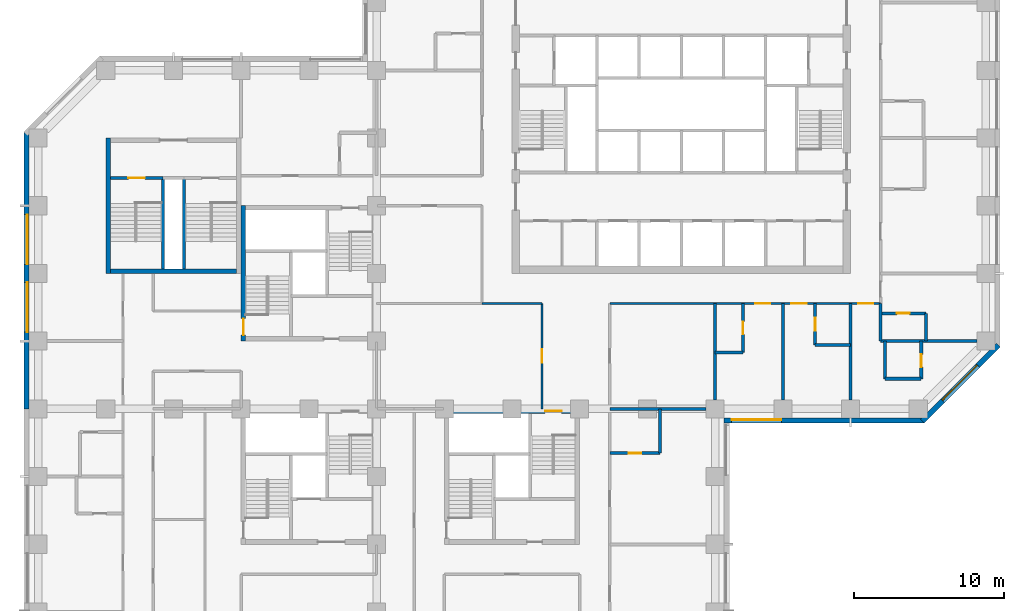
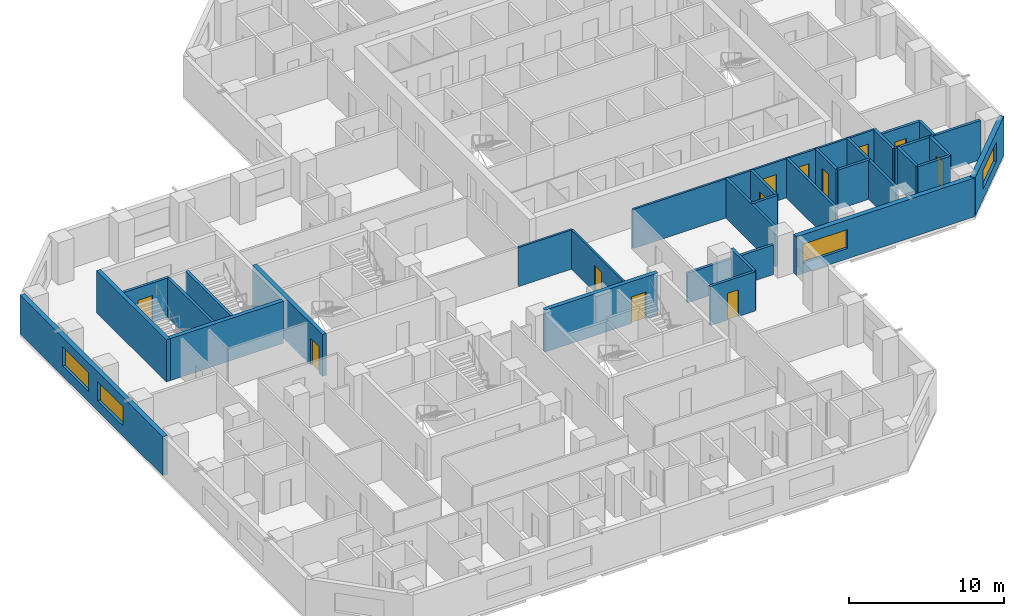
# One storey, part 6 of 13: 30 walls, 12 doors, 4 windows, 16 openings.
"""IFC4 building model written with IfcOpenShell, lengths in metres."""

from ifc_helpers import new_model, si_unit, direction, frame, frame_2d, origin, place, context, subcontext, project, spatial, rectangle, extrude, material, layer, layer_set, constituent, constituent_set, type_object, element, fill, save


model = new_model("IFC4")

# Units and contexts
model_context = context("Model", 3, precision=1e-05, world=origin(), true_north=direction((0.0, 1.0)))
body_context = subcontext(model_context, "Body", "Model", "MODEL_VIEW")
ifc_project = project(units=[si_unit("LENGTHUNIT", "METRE"), si_unit("AREAUNIT", "SQUARE_METRE"), si_unit("VOLUMEUNIT", "CUBIC_METRE"), si_unit("PLANEANGLEUNIT", "RADIAN"), si_unit("MASSUNIT", "GRAM", prefix="KILO")], contexts=[model_context])

# Site, building, storey
site_placement = place(None, origin())
site = spatial("IfcSite", under=ifc_project, at=site_placement, CompositionType="ELEMENT")
building_placement = place(site_placement, origin())
building = spatial("IfcBuilding", under=site, at=building_placement, Name="Quoin Convention Tower", CompositionType="ELEMENT")
storey_placement = place(building_placement, frame((0.0, 0.0, 49.5)))
storey = spatial("IfcBuildingStorey", under=building, at=storey_placement, Name="L12", CompositionType="ELEMENT", Elevation=49.5)

# Wall, opening, window
ifc_material_1 = material(Name="Brick masonry", Category="masonry")
ifc_layer_1 = layer(ifc_material_1, 0.35009765625)
ifc_layer_set_1 = layer_set([ifc_layer_1], Name="Brick masonry")
wall_type_1 = type_object("IfcWallType", Name="Brick facade wall", PredefinedType="STANDARD", material=ifc_layer_set_1)
wall_1_placement = place(storey_placement, frame((59.10009765625, 39.72509765625, 0.0), z_axis=(0.0, 0.0, 1.0), x_axis=(1.0, 0.0, 0.0)))
wall_1 = element("IfcWall", 1, at=wall_1_placement, inside=storey, type_object=wall_type_1, Name="fw-L12-58500_40500", PredefinedType="STANDARD", context=body_context, shape_type="SweptSolid", body=[
    extrude(rectangle(XDim=13.29345703125, YDim=0.35009765625, at=frame_2d((6.646728515625, 0.0))), origin(), (0.0, 0.0, 1.0), 3.054931640625),
])
opening_1_placement = place(wall_1_placement, frame((0.5, 0.0, 0.800048828125)))
opening_1 = element("IfcOpeningElement", 2, at=opening_1_placement, cuts=wall_1, Name="Opening W-01", PredefinedType="OPENING", context=body_context, shape_type="SweptSolid", body=[
    extrude(rectangle(XDim=3.300048828125, YDim=1.5, at=frame_2d((1.64990234375, 0.75))), frame((0.0, 0.18505859375, 0.0), z_axis=(0.0, -1.0, 0.0), x_axis=(1.0, 0.0, 0.0)), (0.0, 0.0, 1.0), 0.3701171875),
])
ifc_material_2 = material(Name="Aluminium", Category="aluminium")
ifc_constituent_1 = constituent(ifc_material_2, Name="Frame")
ifc_material_3 = material(Name="Insulated glass", Category="glass")
ifc_constituent_2 = constituent(ifc_material_3, Name="Glazing")
ifc_constituent_set = constituent_set(constituents=[ifc_constituent_1, ifc_constituent_2], Name="Aluminium")
window_type = type_object("IfcWindowType", Name="Hotel strip window", PartitioningType="DOUBLE_PANEL_VERTICAL", PredefinedType="WINDOW", material=ifc_constituent_set)
window_1_placement = place(opening_1_placement, origin())
window_1 = element("IfcWindow", 3, at=window_1_placement, inside=storey, type_object=window_type, Name="win-L12-60750_39725", OverallHeight=1.5, OverallWidth=3.300048828125, PartitioningType="SINGLE_PANEL", PredefinedType="WINDOW", context=body_context, shape_type="SweptSolid", body=[
    extrude(rectangle(XDim=3.300048828125, YDim=1.5, at=frame_2d((1.64990234375, 0.75))), frame((0.0, 0.0849609375, 0.0), z_axis=(0.0, -1.0, 0.0), x_axis=(1.0, 0.0, 0.0)), (0.0, 0.0, 1.0), 0.06005859375),
])
fill(opening_1, window_1)

wall_2_placement = place(storey_placement, frame((72.269775390625, 39.673583984375, 0.0), z_axis=(0.0, 0.0, 1.0), x_axis=(0.707106781187, 0.707106781187, 0.0)))
wall_2 = element("IfcWall", 4, at=wall_2_placement, inside=storey, type_object=wall_type_1, Name="fw-L12-72000_40500", PredefinedType="STANDARD", context=body_context, shape_type="SweptSolid", body=[
    extrude(rectangle(XDim=7.151123046875, YDim=0.35009765625, at=frame_2d((3.57568359375, 0.0))), origin(), (0.0, 0.0, 1.0), 3.054931640625),
])
opening_2_placement = place(wall_2_placement, frame((1.925537109375, 0.0, 0.800048828125)))
opening_2 = element("IfcOpeningElement", 5, at=opening_2_placement, cuts=wall_2, Name="Opening W-01", PredefinedType="OPENING", context=body_context, shape_type="SweptSolid", body=[
    extrude(rectangle(XDim=3.300048828125, YDim=1.5, at=frame_2d((1.64990234375, 0.75))), frame((0.0, 0.18505859375, 0.0), z_axis=(0.0, -1.0, 0.0), x_axis=(1.0, 0.0, 0.0)), (0.0, 0.0, 1.0), 0.3701171875),
])
window_2_placement = place(opening_2_placement, origin())
window_2 = element("IfcWindow", 6, at=window_2_placement, inside=storey, type_object=window_type, Name="win-L12-74798_42202", OverallHeight=1.5, OverallWidth=3.300048828125, PartitioningType="SINGLE_PANEL", PredefinedType="WINDOW", context=body_context, shape_type="SweptSolid", body=[
    extrude(rectangle(XDim=3.300048828125, YDim=1.5, at=frame_2d((1.64990234375, 0.75))), frame((0.0, 0.0849609375, 0.0), z_axis=(0.0, -1.0, 0.0), x_axis=(1.0, 0.0, 0.0)), (0.0, 0.0, 1.0), 0.06005859375),
])
fill(opening_2, window_2)

# Wall, openings, windows
wall_3_placement = place(storey_placement, frame((12.72509765625, 58.8935546875, 0.0), z_axis=(0.0, 0.0, 1.0), x_axis=(0.0, -1.0, 0.0)))
wall_3 = element("IfcWall", 7, at=wall_3_placement, inside=storey, type_object=wall_type_1, Name="fw-L12-13500_58500", PredefinedType="STANDARD", context=body_context, shape_type="SweptSolid", body=[
    extrude(rectangle(XDim=18.3935546875, YDim=0.35009765625, at=frame_2d((9.19677734375, 0.0))), origin(), (0.0, 0.0, 1.0), 3.054931640625),
])
opening_3_placement = place(wall_3_placement, frame((5.493408203125, 0.0, 0.800048828125)))
opening_3 = element("IfcOpeningElement", 8, at=opening_3_placement, cuts=wall_3, Name="Opening W-01", PredefinedType="OPENING", context=body_context, shape_type="SweptSolid", body=[
    extrude(rectangle(XDim=3.300048828125, YDim=1.5, at=frame_2d((1.64990234375, 0.75))), frame((0.0, 0.18505859375, 0.0), z_axis=(0.0, -1.0, 0.0), x_axis=(1.0, 0.0, 0.0)), (0.0, 0.0, 1.0), 0.3701171875),
])
opening_4_placement = place(wall_3_placement, frame((9.993408203125, 0.0, 0.800048828125)))
opening_4 = element("IfcOpeningElement", 9, at=opening_4_placement, cuts=wall_3, Name="Opening W-01", PredefinedType="OPENING", context=body_context, shape_type="SweptSolid", body=[
    extrude(rectangle(XDim=3.300048828125, YDim=1.5, at=frame_2d((1.64990234375, 0.75))), frame((0.0, 0.18505859375, 0.0), z_axis=(0.0, -1.0, 0.0), x_axis=(1.0, 0.0, 0.0)), (0.0, 0.0, 1.0), 0.3701171875),
])
window_3_placement = place(opening_3_placement, origin())
window_3 = element("IfcWindow", 10, at=window_3_placement, inside=storey, type_object=window_type, Name="win-L12-12725_51750", OverallHeight=1.5, OverallWidth=3.300048828125, PartitioningType="SINGLE_PANEL", PredefinedType="WINDOW", context=body_context, shape_type="SweptSolid", body=[
    extrude(rectangle(XDim=3.300048828125, YDim=1.5, at=frame_2d((1.64990234375, 0.75))), frame((0.0, 0.0849609375, 0.0), z_axis=(0.0, -1.0, 0.0), x_axis=(1.0, 0.0, 0.0)), (0.0, 0.0, 1.0), 0.06005859375),
])
fill(opening_3, window_3)
window_4_placement = place(opening_4_placement, origin())
window_4 = element("IfcWindow", 11, at=window_4_placement, inside=storey, type_object=window_type, Name="win-L12-12725_47250", OverallHeight=1.5, OverallWidth=3.300048828125, PartitioningType="SINGLE_PANEL", PredefinedType="WINDOW", context=body_context, shape_type="SweptSolid", body=[
    extrude(rectangle(XDim=3.300048828125, YDim=1.5, at=frame_2d((1.64990234375, 0.75))), frame((0.0, 0.0849609375, 0.0), z_axis=(0.0, -1.0, 0.0), x_axis=(1.0, 0.0, 0.0)), (0.0, 0.0, 1.0), 0.06005859375),
])
fill(opening_4, window_4)

# Wall, opening, door
ifc_material_4 = material(Name="Concrete C50", Category="concrete")
ifc_layer_2 = layer(ifc_material_4, 0.199951171875)
ifc_layer_set_2 = layer_set([ifc_layer_2], Name="Concrete C50")
wall_type_2 = type_object("IfcWallType", Name="Core shaft wall", PredefinedType="SOLIDWALL", material=ifc_layer_set_2)
wall_4_placement = place(storey_placement, frame((18.300048828125, 55.85009765625, 0.0), z_axis=(0.0, 0.0, 1.0), x_axis=(1.0, 0.0, 0.0)))
wall_4 = element("IfcWall", 12, at=wall_4_placement, inside=storey, type_object=wall_type_2, Name="cr-P6-L12-h6350_300", PredefinedType="SOLIDWALL", context=body_context, shape_type="SweptSolid", body=[
    extrude(rectangle(XDim=3.5, YDim=0.199951171875, at=frame_2d((1.75, 0.0))), origin(), (0.0, 0.0, 1.0), 3.080078125),
])
opening_5_placement = place(wall_4_placement, frame((1.199951171875, 0.0, 0.0)))
opening_5 = element("IfcOpeningElement", 13, at=opening_5_placement, cuts=wall_4, Name="Opening SD11", PredefinedType="OPENING", context=body_context, shape_type="SweptSolid", body=[
    extrude(rectangle(XDim=1.10009765625, YDim=2.10009765625, at=frame_2d((0.550048828125, 1.050048828125))), frame((0.0, 0.10986328125, 0.0), z_axis=(0.0, -1.0, 0.0), x_axis=(1.0, 0.0, 0.0)), (0.0, 0.0, 1.0), 0.219970703125),
])
ifc_material_5 = material(Name="Steel door leaf", Category="steel")
door_type_1 = type_object("IfcDoorType", Name="Stair door 1100 x 2100", OperationType="SINGLE_SWING_RIGHT", PredefinedType="DOOR", material=ifc_material_5)
door_1_placement = place(opening_5_placement, origin())
door_1 = element("IfcDoor", 14, at=door_1_placement, inside=storey, type_object=door_type_1, Name="cd-P6-L12-SA-R2-SD11", OperationType="SINGLE_SWING_RIGHT", OverallHeight=2.10009765625, OverallWidth=1.10009765625, PredefinedType="DOOR", context=body_context, shape_type="SweptSolid", body=[
    extrude(rectangle(XDim=1.10009765625, YDim=2.10009765625, at=frame_2d((0.550048828125, 1.050048828125))), frame((0.0, 0.02490234375, 0.0), z_axis=(0.0, -1.0, 0.0), x_axis=(1.0, 0.0, 0.0)), (0.0, 0.0, 1.0), 0.050048828125),
])
fill(opening_5, door_1)

# Walls
for number, where, z_axis, x_axis, name in (
    (15, (21.800048828125, 49.800048828125, 0.0), (0.0, 0.0, 1.0), (0.0, 1.0, 0.0), "cr-P6-L12-v3800_300"),
    (16, (23.199951171875, 49.800048828125, 0.0), (0.0, 0.0, 1.0), (0.0, 1.0, 0.0), "cr-P6-L12-v5200_300"),
):
    element("IfcWall", number, at=place(storey_placement, frame(where, z_axis=z_axis, x_axis=x_axis)), inside=storey, type_object=wall_type_2, Name=name, PredefinedType="SOLIDWALL", context=body_context, shape_type="SweptSolid", body=[
        extrude(rectangle(XDim=6.050048828125, YDim=0.199951171875, at=frame_2d((3.02490234375, 0.0))), origin(), (0.0, 0.0, 1.0), 3.080078125),
    ])

# Wall, opening, door
ifc_material_6 = material(Name="Concrete C80", Category="concrete")
ifc_layer_3 = layer(ifc_material_6, 0.300048828125)
ifc_layer_set_3 = layer_set([ifc_layer_3], Name="Concrete C80")
wall_type_3 = type_object("IfcWallType", Name="RC CORE WALL 300 C80", PredefinedType="SHEAR", material=ifc_layer_set_3)
wall_5_placement = place(storey_placement, frame((27.14990234375, 45.0, 0.0), z_axis=(0.0, 0.0, 1.0), x_axis=(0.0, 1.0, 0.0)))
wall_5 = element("IfcWall", 17, at=wall_5_placement, inside=storey, type_object=wall_type_3, Name="cwl-P2-L12-W", PredefinedType="SHEAR", context=body_context, shape_type="SweptSolid", body=[
    extrude(rectangle(XDim=9.0, YDim=0.300048828125, at=frame_2d((4.5, 0.0))), origin(), (0.0, 0.0, 1.0), 3.300048828125),
])
opening_6_placement = place(wall_5_placement, frame((0.39990234375, 0.0, 0.0)))
opening_6 = element("IfcOpeningElement", 18, at=opening_6_placement, cuts=wall_5, Name="Opening SD3", PredefinedType="OPENING", context=body_context, shape_type="SweptSolid", body=[
    extrude(rectangle(XDim=1.10009765625, YDim=2.10009765625, at=frame_2d((0.550048828125, 1.050048828125))), frame((0.0, 0.159912109375, 0.0), z_axis=(0.0, -1.0, 0.0), x_axis=(1.0, 0.0, 0.0)), (0.0, 0.0, 1.0), 0.320068359375),
])
door_2_placement = place(opening_6_placement, frame((1.10009765625, 0.0, 0.0), z_axis=(0.0, 0.0, 1.0), x_axis=(-1.0, 0.0, 0.0)))
door_2 = element("IfcDoor", 19, at=door_2_placement, inside=storey, type_object=door_type_1, Name="cd-P2-L12-SA-W", OperationType="SINGLE_SWING_RIGHT", OverallHeight=2.10009765625, OverallWidth=1.10009765625, PredefinedType="DOOR", context=body_context, shape_type="SweptSolid", body=[
    extrude(rectangle(XDim=1.10009765625, YDim=2.10009765625, at=frame_2d((0.550048828125, 1.050048828125))), frame((0.0, 0.02490234375, 0.0), z_axis=(0.0, -1.0, 0.0), x_axis=(1.0, 0.0, 0.0)), (0.0, 0.0, 1.0), 0.050048828125),
])
fill(opening_6, door_2)

wall_6_placement = place(storey_placement, frame((40.800048828125, 40.35009765625, 0.0), z_axis=(0.0, 0.0, 1.0), x_axis=(1.0, 0.0, 0.0)))
wall_6 = element("IfcWall", 20, at=wall_6_placement, inside=storey, type_object=wall_type_3, Name="cwl-P3-L12-N", PredefinedType="SHEAR", context=body_context, shape_type="SweptSolid", body=[
    extrude(rectangle(XDim=8.39990234375, YDim=0.300048828125, at=frame_2d((4.199951171875, 0.0))), origin(), (0.0, 0.0, 1.0), 3.300048828125),
])
opening_7_placement = place(wall_6_placement, frame((6.39990234375, 0.0, 0.0)))
opening_7 = element("IfcOpeningElement", 21, at=opening_7_placement, cuts=wall_6, Name="Opening SD6", PredefinedType="OPENING", context=body_context, shape_type="SweptSolid", body=[
    extrude(rectangle(XDim=1.10009765625, YDim=2.10009765625, at=frame_2d((0.550048828125, 1.050048828125))), frame((0.0, 0.159912109375, 0.0), z_axis=(0.0, -1.0, 0.0), x_axis=(1.0, 0.0, 0.0)), (0.0, 0.0, 1.0), 0.320068359375),
])
door_3_placement = place(opening_7_placement, frame((1.10009765625, 0.0, 0.0), z_axis=(0.0, 0.0, 1.0), x_axis=(-1.0, 0.0, 0.0)))
door_3 = element("IfcDoor", 22, at=door_3_placement, inside=storey, type_object=door_type_1, Name="cd-P3-L12-SB-N", OperationType="SINGLE_SWING_LEFT", OverallHeight=2.10009765625, OverallWidth=1.10009765625, PredefinedType="DOOR", context=body_context, shape_type="SweptSolid", body=[
    extrude(rectangle(XDim=1.10009765625, YDim=2.10009765625, at=frame_2d((0.550048828125, 1.050048828125))), frame((0.0, 0.02490234375, 0.0), z_axis=(0.0, -1.0, 0.0), x_axis=(1.0, 0.0, 0.0)), (0.0, 0.0, 1.0), 0.050048828125),
])
fill(opening_7, door_3)

# Walls
wall_7_placement = place(storey_placement, frame((18.300048828125, 49.64990234375, 0.0), z_axis=(0.0, 0.0, 1.0), x_axis=(1.0, 0.0, 0.0)))
element("IfcWall", 23, at=wall_7_placement, inside=storey, type_object=wall_type_3, Name="cwl-P6-L12-S", PredefinedType="SHEAR", context=body_context, shape_type="SweptSolid", body=[
    extrude(rectangle(XDim=8.39990234375, YDim=0.300048828125, at=frame_2d((4.199951171875, 0.0))), origin(), (0.0, 0.0, 1.0), 3.300048828125),
])
wall_8_placement = place(storey_placement, frame((18.14990234375, 49.5, 0.0), z_axis=(0.0, 0.0, 1.0), x_axis=(0.0, 1.0, 0.0)))
element("IfcWall", 24, at=wall_8_placement, inside=storey, type_object=wall_type_3, Name="cwl-P6-L12-W", PredefinedType="SHEAR", context=body_context, shape_type="SweptSolid", body=[
    extrude(rectangle(XDim=9.0, YDim=0.300048828125, at=frame_2d((4.5, 0.0))), origin(), (0.0, 0.0, 1.0), 3.300048828125),
])

# Wall, opening, door
ifc_layer_4 = layer(ifc_material_4, 0.199951171875)
ifc_layer_set_4 = layer_set([ifc_layer_4], Name="Concrete C50")
wall_type_4 = type_object("IfcWallType", Name="RC party wall", PredefinedType="SOLIDWALL", material=ifc_layer_set_4)
wall_9_placement = place(storey_placement, frame((51.5, 37.550048828125, 0.0), z_axis=(0.0, 0.0, 1.0), x_axis=(1.0, 0.0, 0.0)))
wall_9 = element("IfcWall", 25, at=wall_9_placement, inside=storey, type_object=wall_type_4, Name="pw-L12-076", PredefinedType="SOLIDWALL", context=body_context, shape_type="SweptSolid", body=[
    extrude(rectangle(XDim=3.35009765625, YDim=0.199951171875, at=frame_2d((1.675048828125, 0.0))), origin(), (0.0, 0.0, 1.0), 3.080078125),
])
opening_8_placement = place(wall_9_placement, frame((1.25, 0.0, 0.0)))
opening_8 = element("IfcOpeningElement", 26, at=opening_8_placement, cuts=wall_9, Name="Opening DHOTEL-A-50", PredefinedType="OPENING", context=body_context, shape_type="SweptSolid", body=[
    extrude(rectangle(XDim=0.85009765625, YDim=2.10009765625, at=frame_2d((0.425048828125, 1.050048828125))), frame((0.0, 0.10986328125, 0.0), z_axis=(0.0, -1.0, 0.0), x_axis=(1.0, 0.0, 0.0)), (0.0, 0.0, 1.0), 0.219970703125),
])
door_type_2 = type_object("IfcDoorType", Name="Bathroom door", OperationType="SINGLE_SWING_LEFT", PredefinedType="DOOR", material=ifc_material_5)
door_4_placement = place(opening_8_placement, frame((0.85009765625, 0.0, 0.0), z_axis=(0.0, 0.0, 1.0), x_axis=(-1.0, 0.0, 0.0)))
door_4 = element("IfcDoor", 27, at=door_4_placement, inside=storey, type_object=door_type_2, Name="dr-L12-026", OperationType="SINGLE_SWING_RIGHT", OverallHeight=2.10009765625, OverallWidth=0.85009765625, PredefinedType="DOOR", context=body_context, shape_type="SweptSolid", body=[
    extrude(rectangle(XDim=0.85009765625, YDim=2.10009765625, at=frame_2d((0.425048828125, 1.050048828125))), frame((0.0, 0.02490234375, 0.0), z_axis=(0.0, -1.0, 0.0), x_axis=(1.0, 0.0, 0.0)), (0.0, 0.0, 1.0), 0.050048828125),
])
fill(opening_8, door_4)

# Walls
wall_10_placement = place(storey_placement, frame((54.85009765625, 37.550048828125, 0.0), z_axis=(0.0, 0.0, 1.0), x_axis=(0.0, 1.0, 0.0)))
element("IfcWall", 28, at=wall_10_placement, inside=storey, type_object=wall_type_4, Name="pw-L12-077", PredefinedType="SOLIDWALL", context=body_context, shape_type="SweptSolid", body=[
    extrude(rectangle(XDim=2.949951171875, YDim=0.199951171875, at=frame_2d((1.47509765625, 0.0))), origin(), (0.0, 0.0, 1.0), 3.080078125),
])
for number, where, z_axis, x_axis, name in (
    (29, (63.0, 41.10009765625, 0.0), (0.0, 0.0, 1.0), (0.0, 1.0, 0.0), "pw-L12-079"),
    (30, (67.5, 41.10009765625, 0.0), (0.0, 0.0, 1.0), (0.0, 1.0, 0.0), "pw-L12-080"),
):
    element("IfcWall", number, at=place(storey_placement, frame(where, z_axis=z_axis, x_axis=x_axis)), inside=storey, type_object=wall_type_4, Name=name, PredefinedType="SOLIDWALL", context=body_context, shape_type="SweptSolid", body=[
        extrude(rectangle(XDim=6.39990234375, YDim=0.199951171875, at=frame_2d((3.199951171875, 0.0))), origin(), (0.0, 0.0, 1.0), 3.080078125),
    ])
wall_11_placement = place(storey_placement, frame((69.800048828125, 42.5, 0.0), z_axis=(0.0, 0.0, 1.0), x_axis=(1.0, 0.0, 0.0)))
element("IfcWall", 31, at=wall_11_placement, inside=storey, type_object=wall_type_4, Name="pw-L12-081", PredefinedType="SOLIDWALL", context=body_context, shape_type="SweptSolid", body=[
    extrude(rectangle(XDim=2.39990234375, YDim=0.199951171875, at=frame_2d((1.199951171875, 0.0))), origin(), (0.0, 0.0, 1.0), 3.080078125),
])
wall_12_placement = place(storey_placement, frame((69.800048828125, 42.5, 0.0), z_axis=(0.0, 0.0, 1.0), x_axis=(0.0, 1.0, 0.0)))
element("IfcWall", 32, at=wall_12_placement, inside=storey, type_object=wall_type_4, Name="pw-L12-082", PredefinedType="SOLIDWALL", context=body_context, shape_type="SweptSolid", body=[
    extrude(rectangle(XDim=2.5, YDim=0.199951171875, at=frame_2d((1.25, 0.0))), origin(), (0.0, 0.0, 1.0), 3.080078125),
])

# Wall, opening, door
wall_13_placement = place(storey_placement, frame((72.199951171875, 42.5, 0.0), z_axis=(0.0, 0.0, 1.0), x_axis=(0.0, 1.0, 0.0)))
wall_13 = element("IfcWall", 33, at=wall_13_placement, inside=storey, type_object=wall_type_4, Name="pw-L12-083", PredefinedType="SOLIDWALL", context=body_context, shape_type="SweptSolid", body=[
    extrude(rectangle(XDim=2.5, YDim=0.199951171875, at=frame_2d((1.25, 0.0))), origin(), (0.0, 0.0, 1.0), 3.080078125),
])
opening_9_placement = place(wall_13_placement, frame((0.77490234375, 0.0, 0.0)))
opening_9 = element("IfcOpeningElement", 34, at=opening_9_placement, cuts=wall_13, Name="Opening DHOTEL-A-52", PredefinedType="OPENING", context=body_context, shape_type="SweptSolid", body=[
    extrude(rectangle(XDim=0.85009765625, YDim=2.10009765625, at=frame_2d((0.425048828125, 1.050048828125))), frame((0.0, 0.10986328125, 0.0), z_axis=(0.0, -1.0, 0.0), x_axis=(1.0, 0.0, 0.0)), (0.0, 0.0, 1.0), 0.219970703125),
])
door_5_placement = place(opening_9_placement, frame((0.85009765625, 0.0, 0.0), z_axis=(0.0, 0.0, 1.0), x_axis=(-1.0, 0.0, 0.0)))
door_5 = element("IfcDoor", 35, at=door_5_placement, inside=storey, type_object=door_type_2, Name="dr-L12-064", OperationType="SINGLE_SWING_LEFT", OverallHeight=2.10009765625, OverallWidth=0.85009765625, PredefinedType="DOOR", context=body_context, shape_type="SweptSolid", body=[
    extrude(rectangle(XDim=0.85009765625, YDim=2.10009765625, at=frame_2d((0.425048828125, 1.050048828125))), frame((0.0, 0.02490234375, 0.0), z_axis=(0.0, -1.0, 0.0), x_axis=(1.0, 0.0, 0.0)), (0.0, 0.0, 1.0), 0.050048828125),
])
fill(opening_9, door_5)

# Wall
wall_14_placement = place(storey_placement, frame((58.5, 44.25, 0.0), z_axis=(0.0, 0.0, 1.0), x_axis=(1.0, 0.0, 0.0)))
element("IfcWall", 36, at=wall_14_placement, inside=storey, type_object=wall_type_4, Name="pw-L12-084", PredefinedType="SOLIDWALL", context=body_context, shape_type="SweptSolid", body=[
    extrude(rectangle(XDim=1.85009765625, YDim=0.199951171875, at=frame_2d((0.925048828125, 0.0))), origin(), (0.0, 0.0, 1.0), 3.080078125),
])

# Wall, opening, door
wall_15_placement = place(storey_placement, frame((60.35009765625, 44.25, 0.0), z_axis=(0.0, 0.0, 1.0), x_axis=(0.0, 1.0, 0.0)))
wall_15 = element("IfcWall", 37, at=wall_15_placement, inside=storey, type_object=wall_type_4, Name="pw-L12-085", PredefinedType="SOLIDWALL", context=body_context, shape_type="SweptSolid", body=[
    extrude(rectangle(XDim=3.25, YDim=0.199951171875, at=frame_2d((1.625, 0.0))), origin(), (0.0, 0.0, 1.0), 3.080078125),
])
opening_10_placement = place(wall_15_placement, frame((1.199951171875, 0.0, 0.0)))
opening_10 = element("IfcOpeningElement", 38, at=opening_10_placement, cuts=wall_15, Name="Opening DHOTEL-A-53", PredefinedType="OPENING", context=body_context, shape_type="SweptSolid", body=[
    extrude(rectangle(XDim=0.85009765625, YDim=2.10009765625, at=frame_2d((0.425048828125, 1.050048828125))), frame((0.0, 0.10986328125, 0.0), z_axis=(0.0, -1.0, 0.0), x_axis=(1.0, 0.0, 0.0)), (0.0, 0.0, 1.0), 0.219970703125),
])
door_6_placement = place(opening_10_placement, frame((0.85009765625, 0.0, 0.0), z_axis=(0.0, 0.0, 1.0), x_axis=(-1.0, 0.0, 0.0)))
door_6 = element("IfcDoor", 39, at=door_6_placement, inside=storey, type_object=door_type_2, Name="dr-L12-052", OperationType="SINGLE_SWING_LEFT", OverallHeight=2.10009765625, OverallWidth=0.85009765625, PredefinedType="DOOR", context=body_context, shape_type="SweptSolid", body=[
    extrude(rectangle(XDim=0.85009765625, YDim=2.10009765625, at=frame_2d((0.425048828125, 1.050048828125))), frame((0.0, 0.02490234375, 0.0), z_axis=(0.0, -1.0, 0.0), x_axis=(1.0, 0.0, 0.0)), (0.0, 0.0, 1.0), 0.050048828125),
])
fill(opening_10, door_6)

# Wall
wall_16_placement = place(storey_placement, frame((65.14990234375, 44.75, 0.0), z_axis=(0.0, 0.0, 1.0), x_axis=(1.0, 0.0, 0.0)))
element("IfcWall", 40, at=wall_16_placement, inside=storey, type_object=wall_type_4, Name="pw-L12-086", PredefinedType="SOLIDWALL", context=body_context, shape_type="SweptSolid", body=[
    extrude(rectangle(XDim=2.35009765625, YDim=0.199951171875, at=frame_2d((1.175048828125, 0.0))), origin(), (0.0, 0.0, 1.0), 3.080078125),
])

# Wall, opening, door
wall_17_placement = place(storey_placement, frame((65.14990234375, 44.75, 0.0), z_axis=(0.0, 0.0, 1.0), x_axis=(0.0, 1.0, 0.0)))
wall_17 = element("IfcWall", 41, at=wall_17_placement, inside=storey, type_object=wall_type_4, Name="pw-L12-087", PredefinedType="SOLIDWALL", context=body_context, shape_type="SweptSolid", body=[
    extrude(rectangle(XDim=2.75, YDim=0.199951171875, at=frame_2d((1.375, 0.0))), origin(), (0.0, 0.0, 1.0), 3.080078125),
])
opening_11_placement = place(wall_17_placement, frame((0.949951171875, 0.0, 0.0)))
opening_11 = element("IfcOpeningElement", 42, at=opening_11_placement, cuts=wall_17, Name="Opening DHOTEL-A-54", PredefinedType="OPENING", context=body_context, shape_type="SweptSolid", body=[
    extrude(rectangle(XDim=0.85009765625, YDim=2.10009765625, at=frame_2d((0.425048828125, 1.050048828125))), frame((0.0, 0.10986328125, 0.0), z_axis=(0.0, -1.0, 0.0), x_axis=(1.0, 0.0, 0.0)), (0.0, 0.0, 1.0), 0.219970703125),
])
door_7_placement = place(opening_11_placement, origin())
door_7 = element("IfcDoor", 43, at=door_7_placement, inside=storey, type_object=door_type_2, Name="dr-L12-050", OperationType="SINGLE_SWING_RIGHT", OverallHeight=2.10009765625, OverallWidth=0.85009765625, PredefinedType="DOOR", context=body_context, shape_type="SweptSolid", body=[
    extrude(rectangle(XDim=0.85009765625, YDim=2.10009765625, at=frame_2d((0.425048828125, 1.050048828125))), frame((0.0, 0.02490234375, 0.0), z_axis=(0.0, -1.0, 0.0), x_axis=(1.0, 0.0, 0.0)), (0.0, 0.0, 1.0), 0.050048828125),
])
fill(opening_11, door_7)

# Walls
wall_18_placement = place(storey_placement, frame((69.5, 45.0, 0.0), z_axis=(0.0, 0.0, 1.0), x_axis=(1.0, 0.0, 0.0)))
element("IfcWall", 44, at=wall_18_placement, inside=storey, type_object=wall_type_4, Name="pw-L12-089", PredefinedType="SOLIDWALL", context=body_context, shape_type="SweptSolid", body=[
    extrude(rectangle(XDim=6.39990234375, YDim=0.199951171875, at=frame_2d((3.199951171875, 0.0))), origin(), (0.0, 0.0, 1.0), 3.080078125),
])
wall_19_placement = place(storey_placement, frame((69.5, 45.0, 0.0), z_axis=(0.0, 0.0, 1.0), x_axis=(0.0, 1.0, 0.0)))
element("IfcWall", 45, at=wall_19_placement, inside=storey, type_object=wall_type_4, Name="pw-L12-090", PredefinedType="SOLIDWALL", context=body_context, shape_type="SweptSolid", body=[
    extrude(rectangle(XDim=2.5, YDim=0.199951171875, at=frame_2d((1.25, 0.0))), origin(), (0.0, 0.0, 1.0), 3.080078125),
])
wall_20_placement = place(storey_placement, frame((72.5, 45.0, 0.0), z_axis=(0.0, 0.0, 1.0), x_axis=(0.0, 1.0, 0.0)))
element("IfcWall", 46, at=wall_20_placement, inside=storey, type_object=wall_type_4, Name="pw-L12-091", PredefinedType="SOLIDWALL", context=body_context, shape_type="SweptSolid", body=[
    extrude(rectangle(XDim=1.85009765625, YDim=0.199951171875, at=frame_2d((0.925048828125, 0.0))), origin(), (0.0, 0.0, 1.0), 3.080078125),
])

# Wall, opening, door
wall_21_placement = place(storey_placement, frame((69.5, 46.85009765625, 0.0), z_axis=(0.0, 0.0, 1.0), x_axis=(1.0, 0.0, 0.0)))
wall_21 = element("IfcWall", 47, at=wall_21_placement, inside=storey, type_object=wall_type_4, Name="pw-L12-092", PredefinedType="SOLIDWALL", context=body_context, shape_type="SweptSolid", body=[
    extrude(rectangle(XDim=3.0, YDim=0.199951171875, at=frame_2d((1.5, 0.0))), origin(), (0.0, 0.0, 1.0), 3.080078125),
])
opening_12_placement = place(wall_21_placement, frame((1.074951171875, 0.0, 0.0)))
opening_12 = element("IfcOpeningElement", 48, at=opening_12_placement, cuts=wall_21, Name="Opening DHOTEL-A-55", PredefinedType="OPENING", context=body_context, shape_type="SweptSolid", body=[
    extrude(rectangle(XDim=0.85009765625, YDim=2.10009765625, at=frame_2d((0.425048828125, 1.050048828125))), frame((0.0, 0.10986328125, 0.0), z_axis=(0.0, -1.0, 0.0), x_axis=(1.0, 0.0, 0.0)), (0.0, 0.0, 1.0), 0.219970703125),
])
door_8_placement = place(opening_12_placement, origin())
door_8 = element("IfcDoor", 49, at=door_8_placement, inside=storey, type_object=door_type_2, Name="dr-L12-048", OperationType="SINGLE_SWING_LEFT", OverallHeight=2.10009765625, OverallWidth=0.85009765625, PredefinedType="DOOR", context=body_context, shape_type="SweptSolid", body=[
    extrude(rectangle(XDim=0.85009765625, YDim=2.10009765625, at=frame_2d((0.425048828125, 1.050048828125))), frame((0.0, 0.02490234375, 0.0), z_axis=(0.0, -1.0, 0.0), x_axis=(1.0, 0.0, 0.0)), (0.0, 0.0, 1.0), 0.050048828125),
])
fill(opening_12, door_8)

ifc_material_7 = material(Name="Plasterboard")
ifc_layer_5 = layer(ifc_material_7, 0.012451171875, Name="Finish")
ifc_material_8 = material(Name="Steel stud framing", Category="steel")
ifc_layer_6 = layer(ifc_material_8, 0.125, Name="Structure")
ifc_layer_7 = layer(ifc_material_7, 0.012451171875, Name="Finish")
ifc_layer_set_5 = layer_set([ifc_layer_5, ifc_layer_6, ifc_layer_7], Name="Steel stud framing")
wall_type_5 = type_object("IfcWallType", Name="corridor partition", PredefinedType="PARTITIONING", material=ifc_layer_set_5)
wall_22_placement = place(storey_placement, frame((47.0, 40.5, 0.0), z_axis=(0.0, 0.0, 1.0), x_axis=(0.0, 1.0, 0.0)))
wall_22 = element("IfcWall", 50, at=wall_22_placement, inside=storey, type_object=wall_type_5, Name="pw-L12-024", PredefinedType="PARTITIONING", context=body_context, shape_type="SweptSolid", body=[
    extrude(rectangle(XDim=7.0, YDim=0.14990234375, at=frame_2d((3.5, 0.0))), origin(), (0.0, 0.0, 1.0), 3.080078125),
])
opening_13_placement = place(wall_22_placement, frame((3.050048828125, 0.0, 0.0)))
opening_13 = element("IfcOpeningElement", 51, at=opening_13_placement, cuts=wall_22, Name="Opening DHOTEL-A-20", PredefinedType="OPENING", context=body_context, shape_type="SweptSolid", body=[
    extrude(rectangle(XDim=0.89990234375, YDim=2.10009765625, at=frame_2d((0.449951171875, 1.050048828125))), frame((0.0, 0.0849609375, 0.0), z_axis=(0.0, -1.0, 0.0), x_axis=(1.0, 0.0, 0.0)), (0.0, 0.0, 1.0), 0.169921875),
])
door_type_3 = type_object("IfcDoorType", Name="Single room door", OperationType="SINGLE_SWING_RIGHT", PredefinedType="DOOR", material=ifc_material_5)
door_9_placement = place(opening_13_placement, origin())
door_9 = element("IfcDoor", 52, at=door_9_placement, inside=storey, type_object=door_type_3, Name="dr-L12-073", OperationType="SINGLE_SWING_RIGHT", OverallHeight=2.10009765625, OverallWidth=0.89990234375, PredefinedType="DOOR", context=body_context, shape_type="SweptSolid", body=[
    extrude(rectangle(XDim=0.89990234375, YDim=2.10009765625, at=frame_2d((0.449951171875, 1.050048828125))), frame((0.0, 0.02490234375, 0.0), z_axis=(0.0, -1.0, 0.0), x_axis=(1.0, 0.0, 0.0)), (0.0, 0.0, 1.0), 0.050048828125),
])
fill(opening_13, door_9)

# Wall
wall_23_placement = place(storey_placement, frame((43.0, 47.5, 0.0), z_axis=(0.0, 0.0, 1.0), x_axis=(1.0, 0.0, 0.0)))
element("IfcWall", 53, at=wall_23_placement, inside=storey, type_object=wall_type_5, Name="pw-L12-028", PredefinedType="PARTITIONING", context=body_context, shape_type="SweptSolid", body=[
    extrude(rectangle(XDim=4.0, YDim=0.14990234375, at=frame_2d((2.0, 0.0))), origin(), (0.0, 0.0, 1.0), 3.080078125),
])

# Wall, openings, doors
wall_24_placement = place(storey_placement, frame((51.5, 47.5, 0.0), z_axis=(0.0, 0.0, 1.0), x_axis=(1.0, 0.0, 0.0)))
wall_24 = element("IfcWall", 54, at=wall_24_placement, inside=storey, type_object=wall_type_5, Name="pw-L12-030", PredefinedType="PARTITIONING", context=body_context, shape_type="SweptSolid", body=[
    extrude(rectangle(XDim=18.0, YDim=0.14990234375, at=frame_2d((9.0, 0.0))), origin(), (0.0, 0.0, 1.0), 3.080078125),
])
opening_14_placement = place(wall_24_placement, frame((12.074951171875, 0.0, 0.0)))
opening_14 = element("IfcOpeningElement", 55, at=opening_14_placement, cuts=wall_24, Name="Opening DHOTEL-A-23", PredefinedType="OPENING", context=body_context, shape_type="SweptSolid", body=[
    extrude(rectangle(XDim=1.0, YDim=2.10009765625, at=frame_2d((0.5, 1.050048828125))), frame((0.0, 0.0849609375, 0.0), z_axis=(0.0, -1.0, 0.0), x_axis=(1.0, 0.0, 0.0)), (0.0, 0.0, 1.0), 0.169921875),
])
opening_15_placement = place(wall_24_placement, frame((9.675048828125, 0.0, 0.0)))
opening_15 = element("IfcOpeningElement", 56, at=opening_15_placement, cuts=wall_24, Name="Opening DHOTEL-A-22", PredefinedType="OPENING", context=body_context, shape_type="SweptSolid", body=[
    extrude(rectangle(XDim=1.0, YDim=2.10009765625, at=frame_2d((0.5, 1.050048828125))), frame((0.0, 0.0849609375, 0.0), z_axis=(0.0, -1.0, 0.0), x_axis=(1.0, 0.0, 0.0)), (0.0, 0.0, 1.0), 0.169921875),
])
opening_16_placement = place(wall_24_placement, frame((16.5, 0.0, 0.0)))
opening_16 = element("IfcOpeningElement", 57, at=opening_16_placement, cuts=wall_24, Name="Opening DHOTEL-A-24", PredefinedType="OPENING", context=body_context, shape_type="SweptSolid", body=[
    extrude(rectangle(XDim=1.0, YDim=2.10009765625, at=frame_2d((0.5, 1.050048828125))), frame((0.0, 0.0849609375, 0.0), z_axis=(0.0, -1.0, 0.0), x_axis=(1.0, 0.0, 0.0)), (0.0, 0.0, 1.0), 0.169921875),
])
door_type_4 = type_object("IfcDoorType", Name="Hotel room door", OperationType="SINGLE_SWING_LEFT", PredefinedType="DOOR", material=ifc_material_5)
door_10_placement = place(opening_14_placement, frame((1.0, 0.0, 0.0), z_axis=(0.0, 0.0, 1.0), x_axis=(-1.0, 0.0, 0.0)))
door_10 = element("IfcDoor", 58, at=door_10_placement, inside=storey, type_object=door_type_4, Name="dr-L12-049", OperationType="SINGLE_SWING_LEFT", OverallHeight=2.10009765625, OverallWidth=1.0, PredefinedType="DOOR", context=body_context, shape_type="SweptSolid", body=[
    extrude(rectangle(XDim=1.0, YDim=2.10009765625, at=frame_2d((0.5, 1.050048828125))), frame((0.0, 0.02490234375, 0.0), z_axis=(0.0, -1.0, 0.0), x_axis=(1.0, 0.0, 0.0)), (0.0, 0.0, 1.0), 0.050048828125),
])
fill(opening_14, door_10)
door_11_placement = place(opening_15_placement, frame((1.0, 0.0, 0.0), z_axis=(0.0, 0.0, 1.0), x_axis=(-1.0, 0.0, 0.0)))
door_11 = element("IfcDoor", 59, at=door_11_placement, inside=storey, type_object=door_type_4, Name="dr-L12-051", OperationType="SINGLE_SWING_LEFT", OverallHeight=2.10009765625, OverallWidth=1.0, PredefinedType="DOOR", context=body_context, shape_type="SweptSolid", body=[
    extrude(rectangle(XDim=1.0, YDim=2.10009765625, at=frame_2d((0.5, 1.050048828125))), frame((0.0, 0.02490234375, 0.0), z_axis=(0.0, -1.0, 0.0), x_axis=(1.0, 0.0, 0.0)), (0.0, 0.0, 1.0), 0.050048828125),
])
fill(opening_15, door_11)
door_12_placement = place(opening_16_placement, frame((1.0, 0.0, 0.0), z_axis=(0.0, 0.0, 1.0), x_axis=(-1.0, 0.0, 0.0)))
door_12 = element("IfcDoor", 60, at=door_12_placement, inside=storey, type_object=door_type_4, Name="dr-L12-063", OperationType="SINGLE_SWING_LEFT", OverallHeight=2.10009765625, OverallWidth=1.0, PredefinedType="DOOR", context=body_context, shape_type="SweptSolid", body=[
    extrude(rectangle(XDim=1.0, YDim=2.10009765625, at=frame_2d((0.5, 1.050048828125))), frame((0.0, 0.02490234375, 0.0), z_axis=(0.0, -1.0, 0.0), x_axis=(1.0, 0.0, 0.0)), (0.0, 0.0, 1.0), 0.050048828125),
])
fill(opening_16, door_12)

# Walls
ifc_layer_8 = layer(ifc_material_7, 0.012451171875, Name="Finish")
ifc_layer_9 = layer(ifc_material_8, 0.175048828125, Name="Structure")
ifc_layer_10 = layer(ifc_material_7, 0.012451171875, Name="Finish")
ifc_layer_set_6 = layer_set([ifc_layer_8, ifc_layer_9, ifc_layer_10], Name="Steel stud framing")
wall_type_6 = type_object("IfcWallType", Name="guest room compartment wall", PredefinedType="PARTITIONING", material=ifc_layer_set_6)
wall_25_placement = place(storey_placement, frame((58.5, 41.10009765625, 0.0), z_axis=(0.0, 0.0, 1.0), x_axis=(0.0, 1.0, 0.0)))
element("IfcWall", 61, at=wall_25_placement, inside=storey, type_object=wall_type_6, Name="pw-L12-002", PredefinedType="PARTITIONING", context=body_context, shape_type="SweptSolid", body=[
    extrude(rectangle(XDim=6.39990234375, YDim=0.199951171875, at=frame_2d((3.199951171875, 0.0))), origin(), (0.0, 0.0, 1.0), 3.080078125),
])
ifc_layer_11 = layer(ifc_material_7, 0.012451171875, Name="Finish")
ifc_layer_12 = layer(ifc_material_8, 0.175048828125, Name="Structure")
ifc_layer_13 = layer(ifc_material_7, 0.012451171875, Name="Finish")
ifc_layer_set_7 = layer_set([ifc_layer_11, ifc_layer_12, ifc_layer_13], Name="Steel stud framing")
wall_type_7 = type_object("IfcWallType", Name="guest room compartment wall under beam 750", PredefinedType="PARTITIONING", material=ifc_layer_set_7)
wall_26_placement = place(storey_placement, frame((51.5, 40.5, 0.0), z_axis=(0.0, 0.0, 1.0), x_axis=(1.0, 0.0, 0.0)))
element("IfcWall", 62, at=wall_26_placement, inside=storey, type_object=wall_type_7, Name="pw-L12-001", PredefinedType="PARTITIONING", context=body_context, shape_type="SweptSolid", body=[
    extrude(rectangle(XDim=6.39990234375, YDim=0.199951171875, at=frame_2d((3.199951171875, 0.0))), origin(), (0.0, 0.0, 1.0), 2.330078125),
])

save(model, "model.ifc")
